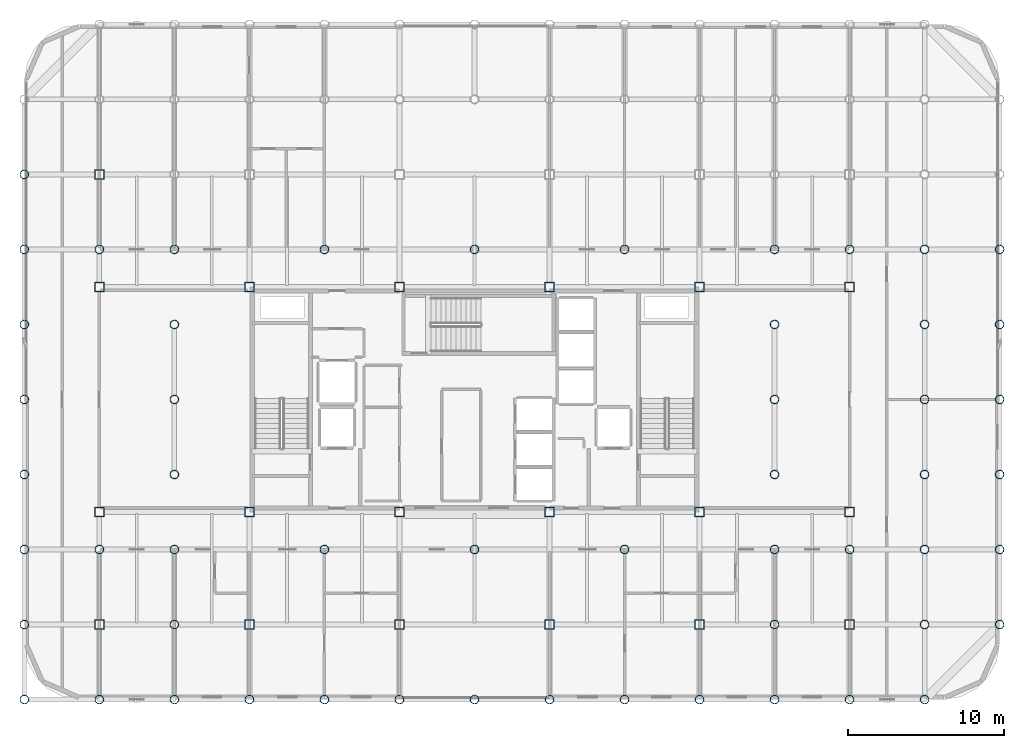
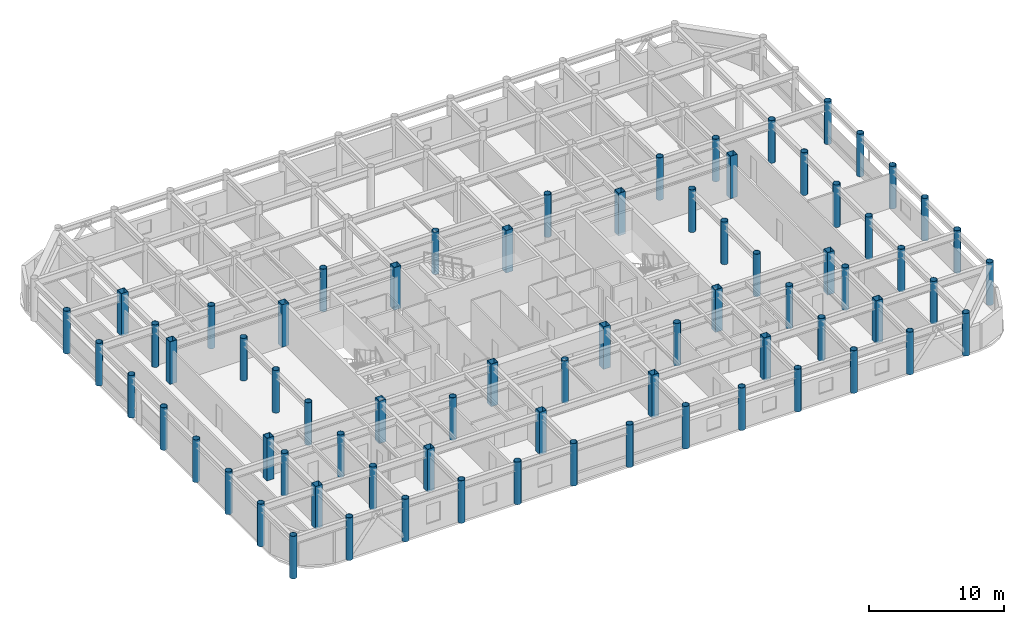
# One storey, part 1 of 22: 73 columns.
"""IFC4 building model written with IfcOpenShell, lengths in metres."""

import ifcopenshell
import ifcopenshell.guid

model = None  # the IFC model being written
_history = None  # IfcOwnerHistory: only IFC2X3 demands one
_inside = {}  # id of a spatial element -> (the spatial element, [elements in it])
_under = {}  # id of a project, library or spatial element -> (it, [spatial elements below it])
_declared = {}  # id of a project -> (the project, [libraries it declares])
_typed = {}  # id of a type object -> (the type object, [elements of that type])
_made_of = {}  # id of a material, layer set ... -> (it, [elements and type objects made of it])


def new_model(schema):
    """Start an empty IFC model of exactly this schema.

    Asked for "IFC4X3", IfcOpenShell would pick the latest addendum, in which some entities
    have other attributes; the version numbers below select the first issue.
    IFC2X3 requires an IfcOwnerHistory on every rooted entity: one is made here for all.
    """
    global model, _history
    if schema == "IFC4X3":
        model = ifcopenshell.file(schema_version=(4, 3, 0, 0))
    else:
        model = ifcopenshell.file(schema=schema)
    _inside.clear()
    _under.clear()
    _declared.clear()
    _typed.clear()
    _made_of.clear()
    _history = None
    if model.schema == "IFC2X3":
        org = make("IfcOrganization", Name="unknown")
        user = make(
            "IfcPersonAndOrganization",
            ThePerson=make("IfcPerson", FamilyName="unknown"),
            TheOrganization=org,
        )
        app = make(
            "IfcApplication",
            ApplicationDeveloper=org,
            Version="unknown",
            ApplicationFullName="unknown",
            ApplicationIdentifier="unknown",
        )
        _history = make(
            "IfcOwnerHistory",
            OwningUser=user,
            OwningApplication=app,
            ChangeAction="ADDED",
            CreationDate=0,
        )
    return model


def make(cls, **values):
    """One entity of the class cls with the attributes given. An attribute that is None is left unset."""
    return model.create_entity(
        cls, **{name: value for name, value in values.items() if value is not None}
    )


def rooted(cls, **values):
    """An entity with a GlobalId (a new one), such as an element, a storey or a relation."""
    return make(cls, GlobalId=ifcopenshell.guid.new(), OwnerHistory=_history, **values)


def si_unit(unit_type, name, prefix=None):
    """IfcSIUnit, for example si_unit("LENGTHUNIT", "METRE", prefix="MILLI")."""
    return make("IfcSIUnit", UnitType=unit_type, Prefix=prefix, Name=name)


def assignment(units):
    """IfcUnitAssignment: the units of a project."""
    return None if units is None else make("IfcUnitAssignment", Units=units)


def point(xyz):
    """IfcCartesianPoint."""
    return None if xyz is None else make("IfcCartesianPoint", Coordinates=xyz)


def direction(xyz):
    """IfcDirection."""
    return None if xyz is None else make("IfcDirection", DirectionRatios=xyz)


def frame(location, z_axis=None, x_axis=None):
    """IfcAxis2Placement3D, a coordinate frame: its origin and axes. An axis left out is left unset."""
    return make(
        "IfcAxis2Placement3D",
        Location=point(location),
        Axis=direction(z_axis),
        RefDirection=direction(x_axis),
    )


def frame_2d(location, x_axis=None):
    """IfcAxis2Placement2D, a coordinate frame in the plane: its origin and x axis."""
    return make(
        "IfcAxis2Placement2D", Location=point(location), RefDirection=direction(x_axis)
    )


def origin():
    """The frame at (0, 0, 0) with its axes left unset."""
    return frame((0.0, 0.0, 0.0))


def origin_2d():
    """The frame at (0, 0) in the plane with its x axis left unset."""
    return frame_2d((0.0, 0.0))


def place(relative_to, where):
    """IfcLocalPlacement: puts the frame where relative to a parent placement (None: the world)."""
    return make(
        "IfcLocalPlacement", PlacementRelTo=relative_to, RelativePlacement=where
    )


def context(
    kind, dimensions, precision=None, world=None, true_north=None, identifier=None
):
    """IfcGeometricRepresentationContext, for example the 3D "Model" context."""
    return make(
        "IfcGeometricRepresentationContext",
        ContextIdentifier=identifier,
        ContextType=kind,
        CoordinateSpaceDimension=dimensions,
        Precision=precision,
        WorldCoordinateSystem=world,
        TrueNorth=true_north,
    )


def subcontext(parent, identifier, kind, view, scale=None):
    """IfcGeometricRepresentationSubContext, for example "Body" below "Model"."""
    return make(
        "IfcGeometricRepresentationSubContext",
        ContextIdentifier=identifier,
        ContextType=kind,
        ParentContext=parent,
        TargetScale=scale,
        TargetView=view,
    )


def project(units=None, contexts=None):
    """IfcProject with its units and contexts."""
    return rooted(
        "IfcProject",
        Name="project",
        RepresentationContexts=contexts,
        UnitsInContext=assignment(units),
    )


def spatial(cls, under=None, at=None, **own):
    """A site, building, storey or space (cls), placed at a placement, below another one or the project."""
    s = rooted(cls, ObjectPlacement=at, **own)
    if under is not None:
        _under.setdefault(under.id(), (under, []))[1].append(s)
    return s


def profile(cls, at=None, kind="AREA", **sizes):
    """A parametric profile (cls). Its sizes go by their IFC names, for example OverallWidth=200.0."""
    return make(cls, ProfileType=kind, Position=at, **sizes)


def hollow_rectangle(**sizes):
    """IfcRectangleHollowProfileDef."""
    return profile("IfcRectangleHollowProfileDef", **sizes)


def hollow_circle(**sizes):
    """IfcCircleHollowProfileDef."""
    return profile("IfcCircleHollowProfileDef", **sizes)


def extrude(swept, where, along, depth):
    """IfcExtrudedAreaSolid: the profile swept, set in the frame where, extruded along a direction by depth."""
    return make(
        "IfcExtrudedAreaSolid",
        SweptArea=swept,
        Position=where,
        ExtrudedDirection=direction(along),
        Depth=depth,
    )


def shape(context_of_items, identifier, shape_type, items):
    """IfcShapeRepresentation: the items that make up one representation, for example the "Body"."""
    return make(
        "IfcShapeRepresentation",
        ContextOfItems=context_of_items,
        RepresentationIdentifier=identifier,
        RepresentationType=shape_type,
        Items=items,
    )


def material(Name=None, Category=None):
    """IfcMaterial."""
    return make("IfcMaterial", Name=Name, Category=Category)


def material_profile(
    of_material, cross_section, Name=None, Category=None, Priority=None
):
    """IfcMaterialProfile: a cross section and its material."""
    return make(
        "IfcMaterialProfile",
        Name=Name,
        Material=of_material,
        Profile=cross_section,
        Priority=Priority,
        Category=Category,
    )


def profile_set(profiles, Name=None, composite=None):
    """IfcMaterialProfileSet."""
    return make(
        "IfcMaterialProfileSet",
        Name=Name,
        MaterialProfiles=profiles,
        CompositeProfile=composite,
    )


def made_of(thing, what):
    """Note that an element or type object is made of a material, layer set ...; save() writes the relation."""
    if what is not None:
        _made_of.setdefault(what.id(), (what, []))[1].append(thing)
    return thing


def type_object(cls, material=None, **own):
    """A type object (cls), such as IfcWallType, which elements share."""
    return made_of(rooted(cls, **own), material)


def element(
    cls,
    number,
    at=None,
    inside=None,
    cuts=None,
    type_object=None,
    material=None,
    context=None,
    identifier="Body",
    shape_type=None,
    held_by="IfcProductDefinitionShape",
    body=None,
    shapes=None,
    **own,
):
    """One element of the class cls, such as IfcWall. Its Tag is "e" and its number.

    at: its placement. inside: the storey or other place that contains it. cuts: it is an
    opening in that element (IfcRelVoidsElement). A single representation is given by context,
    identifier, shape_type and body (its items); several are given by shapes. held_by: the class
    of the entity that holds the representations. save() writes the other relations.
    """
    e = rooted(cls, Tag="e%d" % number, ObjectPlacement=at, **own)
    if body is not None:
        shapes = [shape(context, identifier, shape_type, body)]
    if shapes is not None:
        e.Representation = make(held_by, Representations=shapes)
    if inside is not None:
        _inside.setdefault(inside.id(), (inside, []))[1].append(e)
    if cuts is not None:
        rooted(
            "IfcRelVoidsElement", RelatingBuildingElement=cuts, RelatedOpeningElement=e
        )
    if type_object is not None:
        _typed.setdefault(type_object.id(), (type_object, []))[1].append(e)
    return made_of(e, material)


def aggregate(whole, parts):
    """IfcRelAggregates: a whole, such as a stair, and the parts it consists of."""
    return rooted("IfcRelAggregates", RelatingObject=whole, RelatedObjects=parts)


def save(model, path):
    """Write the relations noted so far, then the file.

    IfcRelAggregates (storeys below a building ...), IfcRelContainedInSpatialStructure (elements
    in a storey), IfcRelDefinesByType, IfcRelAssociatesMaterial and IfcRelDeclares: one each for
    every whole, place, type object, material and project.
    """
    for whole, parts in _under.values():
        aggregate(whole, parts)
    for where, things in _inside.values():
        rooted(
            "IfcRelContainedInSpatialStructure",
            RelatedElements=things,
            RelatingStructure=where,
        )
    for kind, things in _typed.values():
        rooted("IfcRelDefinesByType", RelatedObjects=things, RelatingType=kind)
    for what, things in _made_of.values():
        rooted("IfcRelAssociatesMaterial", RelatedObjects=things, RelatingMaterial=what)
    for by, libraries in _declared.values():
        rooted("IfcRelDeclares", RelatingContext=by, RelatedDefinitions=libraries)
    model.write(path)


model = new_model("IFC4")

# Units and contexts
model_context = context("Model", 3, precision=1e-05, world=origin(), true_north=direction((0.0, 1.0)))
body_context = subcontext(model_context, "Body", "Model", "MODEL_VIEW")
ifc_project = project(units=[si_unit("LENGTHUNIT", "METRE"), si_unit("AREAUNIT", "SQUARE_METRE"), si_unit("VOLUMEUNIT", "CUBIC_METRE"), si_unit("PLANEANGLEUNIT", "RADIAN"), si_unit("MASSUNIT", "GRAM", prefix="KILO")], contexts=[model_context])

# Site, building, storey
site_placement = place(None, origin())
site = spatial("IfcSite", under=ifc_project, at=site_placement, CompositionType="ELEMENT")
building_placement = place(site_placement, origin())
building = spatial("IfcBuilding", under=site, at=building_placement, Name="Kallvorn Hotel Tower", CompositionType="ELEMENT")
storey_placement = place(building_placement, frame((0.0, 0.0, 241.550048828125)))
storey = spatial("IfcBuildingStorey", under=building, at=storey_placement, Name="L60", CompositionType="ELEMENT", Elevation=241.550048828125)

# Columns
ifc_material_1 = material(Name="Structural steel S355J2H", Category="steel")
ifc_material_profile_1 = material_profile(ifc_material_1, hollow_circle(Radius=0.279541015625, WallThickness=0.02490234375, at=origin_2d()), Name="CHS 559x25")
ifc_profile_set_1 = profile_set([ifc_material_profile_1], Name="Structural steel S355J2H")
column_type_1 = type_object("IfcColumnType", Name="COL_CHS_559", PredefinedType="COLUMN", material=ifc_profile_set_1)
for number, where, z_axis, x_axis, name in (
    (1, (-28.800048828125, -19.199951171875, 0.0), (0.0, 0.0, 1.0), (1.0, 0.0, 0.0), "L60 Exoskeleton Column EC01"),
    (2, (-28.800048828125, -14.39990234375, 0.0), (0.0, 0.0, 1.0), (1.0, 0.0, 0.0), "L60 Exoskeleton Column EC02"),
    (3, (-28.800048828125, -9.60009765625, 0.0), (0.0, 0.0, 1.0), (1.0, 0.0, 0.0), "L60 Exoskeleton Column EC03"),
    (4, (-28.800048828125, -4.800048828125, 0.0), (0.0, 0.0, 1.0), (1.0, 0.0, 0.0), "L60 Exoskeleton Column EC04"),
    (5, (-28.800048828125, 0.0, 0.0), (0.0, 0.0, 1.0), (1.0, 0.0, 0.0), "L60 Exoskeleton Column EC05"),
    (6, (-28.800048828125, 4.800048828125, 0.0), (0.0, 0.0, 1.0), (1.0, 0.0, 0.0), "L60 Exoskeleton Column EC06"),
    (7, (-28.800048828125, 9.60009765625, 0.0), (0.0, 0.0, 1.0), (1.0, 0.0, 0.0), "L60 Exoskeleton Column EC07"),
    (8, (-28.800048828125, 14.39990234375, 0.0), (0.0, 0.0, 1.0), (1.0, 0.0, 0.0), "L60 Exoskeleton Column EC08"),
    (9, (-24.0, -19.199951171875, 0.0), (0.0, 0.0, 1.0), (1.0, 0.0, 0.0), "L60 Exoskeleton Column EC10"),
    (10, (-24.0, -9.60009765625, 0.0), (0.0, 0.0, 1.0), (1.0, 0.0, 0.0), "L60 Exoskeleton Column EC11"),
    (11, (-24.0, 9.60009765625, 0.0), (0.0, 0.0, 1.0), (1.0, 0.0, 0.0), "L60 Exoskeleton Column EC12"),
    (12, (-19.199951171875, -19.199951171875, 0.0), (0.0, 0.0, 1.0), (1.0, 0.0, 0.0), "L60 Exoskeleton Column EC15"),
    (13, (-19.199951171875, -14.39990234375, 0.0), (0.0, 0.0, 1.0), (1.0, 0.0, 0.0), "L60 Exoskeleton Column EC16"),
    (14, (-19.199951171875, -9.60009765625, 0.0), (0.0, 0.0, 1.0), (1.0, 0.0, 0.0), "L60 Exoskeleton Column EC17"),
    (15, (-19.199951171875, -4.800048828125, 0.0), (0.0, 0.0, 1.0), (1.0, 0.0, 0.0), "L60 Exoskeleton Column EC18"),
    (16, (-19.199951171875, 0.0, 0.0), (0.0, 0.0, 1.0), (1.0, 0.0, 0.0), "L60 Exoskeleton Column EC19"),
    (17, (-19.199951171875, 4.800048828125, 0.0), (0.0, 0.0, 1.0), (1.0, 0.0, 0.0), "L60 Exoskeleton Column EC20"),
    (18, (-19.199951171875, 9.60009765625, 0.0), (0.0, 0.0, 1.0), (1.0, 0.0, 0.0), "L60 Exoskeleton Column EC21"),
    (19, (-14.39990234375, -19.199951171875, 0.0), (0.0, 0.0, 1.0), (1.0, 0.0, 0.0), "L60 Exoskeleton Column EC25"),
    (20, (-9.60009765625, -19.199951171875, 0.0), (0.0, 0.0, 1.0), (1.0, 0.0, 0.0), "L60 Exoskeleton Column EC28"),
    (21, (-9.60009765625, -9.60009765625, 0.0), (0.0, 0.0, 1.0), (1.0, 0.0, 0.0), "L60 Exoskeleton Column EC29"),
    (22, (-9.60009765625, 9.60009765625, 0.0), (0.0, 0.0, 1.0), (1.0, 0.0, 0.0), "L60 Exoskeleton Column EC30"),
    (23, (-4.800048828125, -19.199951171875, 0.0), (0.0, 0.0, 1.0), (1.0, 0.0, 0.0), "L60 Exoskeleton Column EC33"),
    (24, (0.0, -19.199951171875, 0.0), (0.0, 0.0, 1.0), (1.0, 0.0, 0.0), "L60 Exoskeleton Column EC36"),
    (25, (0.0, -9.60009765625, 0.0), (0.0, 0.0, 1.0), (1.0, 0.0, 0.0), "L60 Exoskeleton Column EC37"),
    (26, (0.0, 9.60009765625, 0.0), (0.0, 0.0, 1.0), (1.0, 0.0, 0.0), "L60 Exoskeleton Column EC38"),
    (27, (4.800048828125, -19.199951171875, 0.0), (0.0, 0.0, 1.0), (1.0, 0.0, 0.0), "L60 Exoskeleton Column EC41"),
    (28, (9.60009765625, -19.199951171875, 0.0), (0.0, 0.0, 1.0), (1.0, 0.0, 0.0), "L60 Exoskeleton Column EC44"),
    (29, (9.60009765625, -9.60009765625, 0.0), (0.0, 0.0, 1.0), (1.0, 0.0, 0.0), "L60 Exoskeleton Column EC45"),
    (30, (9.60009765625, 9.60009765625, 0.0), (0.0, 0.0, 1.0), (1.0, 0.0, 0.0), "L60 Exoskeleton Column EC46"),
    (31, (14.39990234375, -19.199951171875, 0.0), (0.0, 0.0, 1.0), (1.0, 0.0, 0.0), "L60 Exoskeleton Column EC49"),
    (32, (19.199951171875, -19.199951171875, 0.0), (0.0, 0.0, 1.0), (1.0, 0.0, 0.0), "L60 Exoskeleton Column EC52"),
    (33, (19.199951171875, -14.39990234375, 0.0), (0.0, 0.0, 1.0), (1.0, 0.0, 0.0), "L60 Exoskeleton Column EC53"),
    (34, (19.199951171875, -9.60009765625, 0.0), (0.0, 0.0, 1.0), (1.0, 0.0, 0.0), "L60 Exoskeleton Column EC54"),
    (35, (19.199951171875, -4.800048828125, 0.0), (0.0, 0.0, 1.0), (1.0, 0.0, 0.0), "L60 Exoskeleton Column EC55"),
    (36, (19.199951171875, 0.0, 0.0), (0.0, 0.0, 1.0), (1.0, 0.0, 0.0), "L60 Exoskeleton Column EC56"),
    (37, (19.199951171875, 4.800048828125, 0.0), (0.0, 0.0, 1.0), (1.0, 0.0, 0.0), "L60 Exoskeleton Column EC57"),
    (38, (19.199951171875, 9.60009765625, 0.0), (0.0, 0.0, 1.0), (1.0, 0.0, 0.0), "L60 Exoskeleton Column EC58"),
    (39, (24.0, -19.199951171875, 0.0), (0.0, 0.0, 1.0), (1.0, 0.0, 0.0), "L60 Exoskeleton Column EC62"),
    (40, (24.0, -9.60009765625, 0.0), (0.0, 0.0, 1.0), (1.0, 0.0, 0.0), "L60 Exoskeleton Column EC63"),
    (41, (24.0, 9.60009765625, 0.0), (0.0, 0.0, 1.0), (1.0, 0.0, 0.0), "L60 Exoskeleton Column EC64"),
    (42, (28.800048828125, -19.199951171875, 0.0), (0.0, 0.0, 1.0), (1.0, 0.0, 0.0), "L60 Exoskeleton Column EC67"),
    (43, (28.800048828125, -14.39990234375, 0.0), (0.0, 0.0, 1.0), (1.0, 0.0, 0.0), "L60 Exoskeleton Column EC68"),
    (44, (28.800048828125, -9.60009765625, 0.0), (0.0, 0.0, 1.0), (1.0, 0.0, 0.0), "L60 Exoskeleton Column EC69"),
    (45, (28.800048828125, -4.800048828125, 0.0), (0.0, 0.0, 1.0), (1.0, 0.0, 0.0), "L60 Exoskeleton Column EC70"),
    (46, (28.800048828125, 0.0, 0.0), (0.0, 0.0, 1.0), (1.0, 0.0, 0.0), "L60 Exoskeleton Column EC71"),
    (47, (28.800048828125, 4.800048828125, 0.0), (0.0, 0.0, 1.0), (1.0, 0.0, 0.0), "L60 Exoskeleton Column EC72"),
    (48, (28.800048828125, 9.60009765625, 0.0), (0.0, 0.0, 1.0), (1.0, 0.0, 0.0), "L60 Exoskeleton Column EC73"),
    (49, (33.60009765625, -14.39990234375, 0.0), (0.0, 0.0, 1.0), (1.0, 0.0, 0.0), "L60 Exoskeleton Column EC77"),
    (50, (33.60009765625, -9.60009765625, 0.0), (0.0, 0.0, 1.0), (1.0, 0.0, 0.0), "L60 Exoskeleton Column EC78"),
    (51, (33.60009765625, -4.800048828125, 0.0), (0.0, 0.0, 1.0), (1.0, 0.0, 0.0), "L60 Exoskeleton Column EC79"),
    (52, (33.60009765625, 0.0, 0.0), (0.0, 0.0, 1.0), (1.0, 0.0, 0.0), "L60 Exoskeleton Column EC80"),
    (53, (33.60009765625, 4.800048828125, 0.0), (0.0, 0.0, 1.0), (1.0, 0.0, 0.0), "L60 Exoskeleton Column EC81"),
    (54, (33.60009765625, 9.60009765625, 0.0), (0.0, 0.0, 1.0), (1.0, 0.0, 0.0), "L60 Exoskeleton Column EC82"),
):
    element("IfcColumn", number, at=place(storey_placement, frame(where, z_axis=z_axis, x_axis=x_axis)), inside=storey, type_object=column_type_1, Name=name, PredefinedType="COLUMN", context=body_context, shape_type="SweptSolid", body=[
        extrude(hollow_circle(Radius=0.279541015625, WallThickness=0.02490234375, at=origin_2d()), origin(), (0.0, 0.0, 1.0), 3.849853515625),
    ])
ifc_material_2 = material(Name="Structural steel S355J2H", Category="steel")
ifc_material_profile_2 = material_profile(ifc_material_2, hollow_rectangle(XDim=0.60009765625, YDim=0.60009765625, WallThickness=0.028076171875, at=origin_2d()), Name="RHS 600x600x28")
ifc_profile_set_2 = profile_set([ifc_material_profile_2], Name="Structural steel S355J2H")
column_type_2 = type_object("IfcColumnType", Name="COL_RHS_600", PredefinedType="COLUMN", material=ifc_profile_set_2)
for number, where, z_axis, x_axis, name in (
    (55, (-24.0, -14.39990234375, 0.0), (0.0, 0.0, 1.0), (1.0, 0.0, 0.0), "L60 Inner Column IC01"),
    (56, (-24.0, -7.199951171875, 0.0), (0.0, 0.0, 1.0), (1.0, 0.0, 0.0), "L60 Inner Column IC02"),
    (57, (-24.0, 7.199951171875, 0.0), (0.0, 0.0, 1.0), (1.0, 0.0, 0.0), "L60 Inner Column IC03"),
    (58, (-24.0, 14.39990234375, 0.0), (0.0, 0.0, 1.0), (1.0, 0.0, 0.0), "L60 Inner Column IC04"),
    (59, (-14.39990234375, -14.39990234375, 0.0), (0.0, 0.0, 1.0), (1.0, 0.0, 0.0), "L60 Inner Column IC05"),
    (60, (-14.39990234375, -7.199951171875, 0.0), (0.0, 0.0, 1.0), (1.0, 0.0, 0.0), "L60 Inner Column IC06"),
    (61, (-14.39990234375, 7.199951171875, 0.0), (0.0, 0.0, 1.0), (1.0, 0.0, 0.0), "L60 Inner Column IC07"),
    (62, (-4.800048828125, -14.39990234375, 0.0), (0.0, 0.0, 1.0), (1.0, 0.0, 0.0), "L60 Inner Column IC09"),
    (63, (-4.800048828125, -7.199951171875, 0.0), (0.0, 0.0, 1.0), (1.0, 0.0, 0.0), "L60 Inner Column IC10"),
    (64, (-4.800048828125, 7.199951171875, 0.0), (0.0, 0.0, 1.0), (1.0, 0.0, 0.0), "L60 Inner Column IC11"),
    (65, (4.800048828125, -14.39990234375, 0.0), (0.0, 0.0, 1.0), (1.0, 0.0, 0.0), "L60 Inner Column IC13"),
    (66, (4.800048828125, -7.199951171875, 0.0), (0.0, 0.0, 1.0), (1.0, 0.0, 0.0), "L60 Inner Column IC14"),
    (67, (4.800048828125, 7.199951171875, 0.0), (0.0, 0.0, 1.0), (1.0, 0.0, 0.0), "L60 Inner Column IC15"),
    (68, (14.39990234375, -14.39990234375, 0.0), (0.0, 0.0, 1.0), (1.0, 0.0, 0.0), "L60 Inner Column IC17"),
    (69, (14.39990234375, -7.199951171875, 0.0), (0.0, 0.0, 1.0), (1.0, 0.0, 0.0), "L60 Inner Column IC18"),
    (70, (14.39990234375, 7.199951171875, 0.0), (0.0, 0.0, 1.0), (1.0, 0.0, 0.0), "L60 Inner Column IC19"),
    (71, (24.0, -14.39990234375, 0.0), (0.0, 0.0, 1.0), (1.0, 0.0, 0.0), "L60 Inner Column IC21"),
    (72, (24.0, -7.199951171875, 0.0), (0.0, 0.0, 1.0), (1.0, 0.0, 0.0), "L60 Inner Column IC22"),
    (73, (24.0, 7.199951171875, 0.0), (0.0, 0.0, 1.0), (1.0, 0.0, 0.0), "L60 Inner Column IC23"),
):
    element("IfcColumn", number, at=place(storey_placement, frame(where, z_axis=z_axis, x_axis=x_axis)), inside=storey, type_object=column_type_2, Name=name, PredefinedType="COLUMN", context=body_context, shape_type="SweptSolid", body=[
        extrude(hollow_rectangle(XDim=0.60009765625, YDim=0.60009765625, WallThickness=0.028076171875, at=origin_2d()), origin(), (0.0, 0.0, 1.0), 3.849853515625),
    ])

save(model, "model.ifc")
